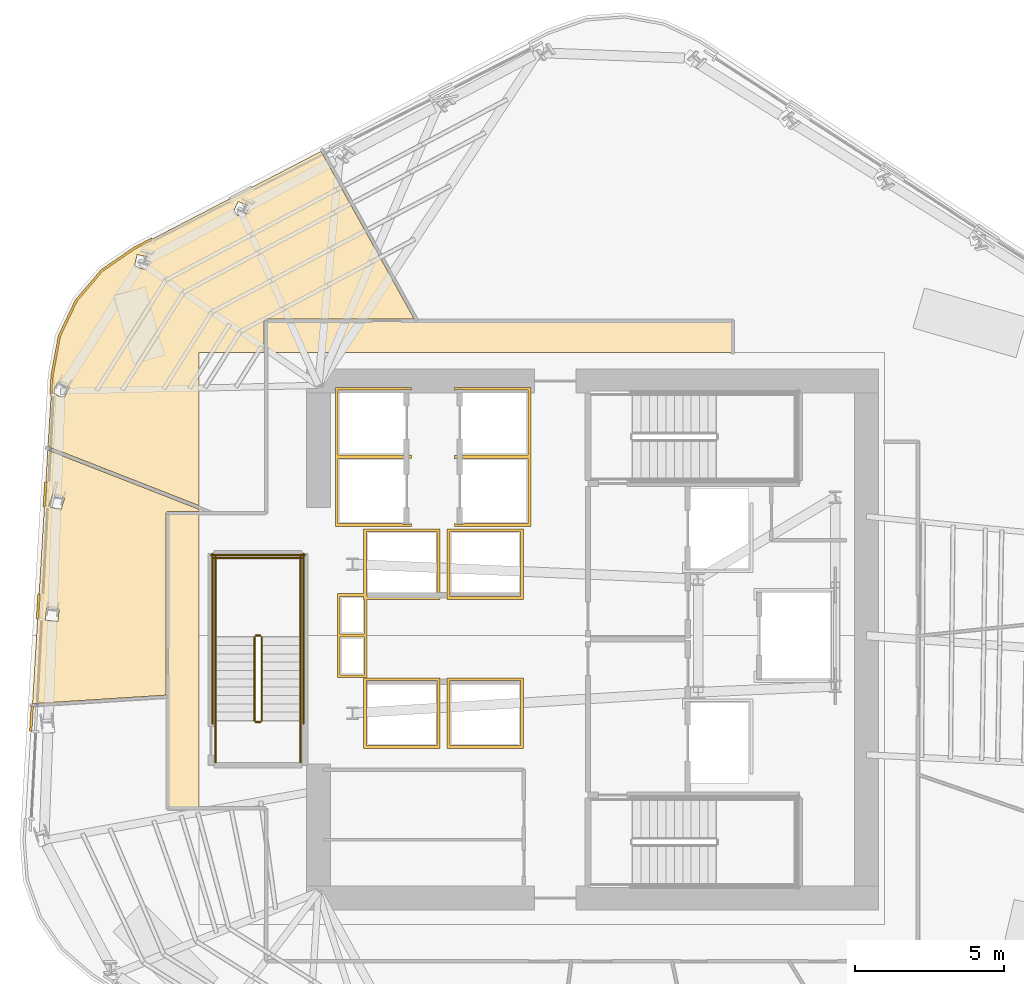
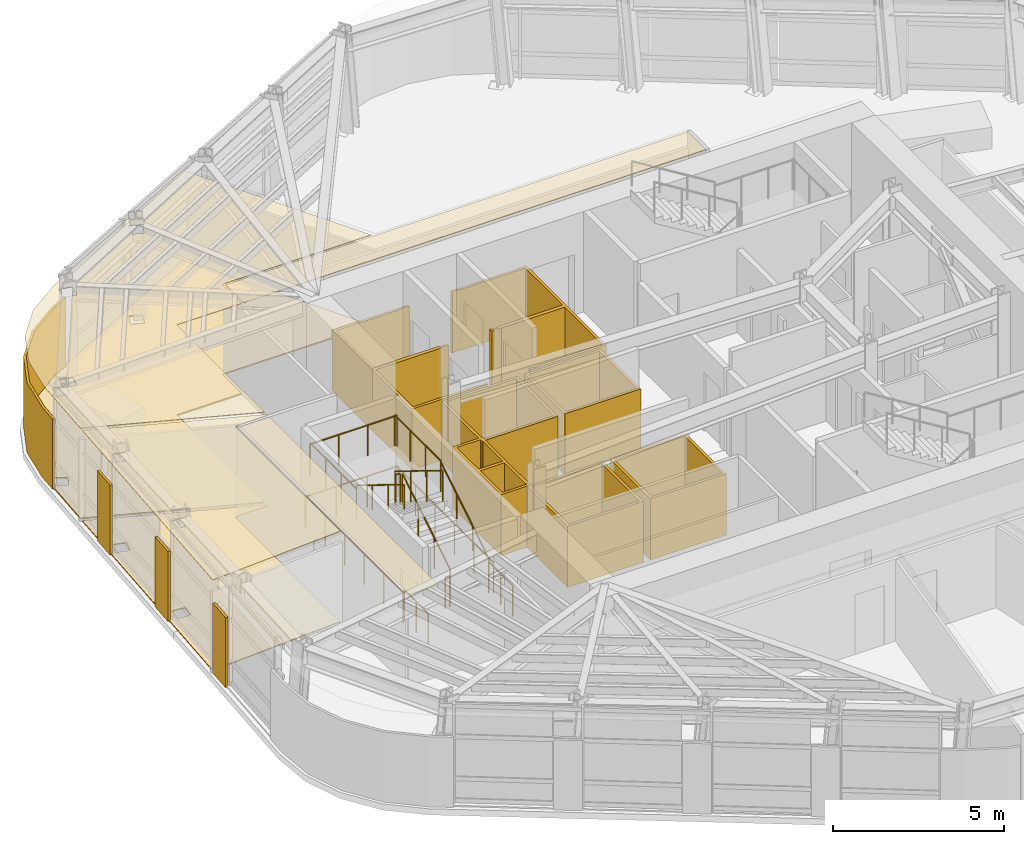
# One storey, part 11 of 14: 16 coverings, 14 railings.
"""IFC4 building model written with IfcOpenShell, lengths in metres."""

from ifc_helpers import new_model, si_unit, direction, frame, origin, origin_2d, place, context, subcontext, project, spatial, polyline, circle, outline, extrude, material, layer, layer_set, type_object, element, save


model = new_model("IFC4")

# Units and contexts
model_context = context("Model", 3, precision=1e-05, world=origin(), true_north=direction((0.0, 1.0)))
body_context = subcontext(model_context, "Body", "Model", "MODEL_VIEW")
ifc_project = project(units=[si_unit("LENGTHUNIT", "METRE"), si_unit("AREAUNIT", "SQUARE_METRE"), si_unit("VOLUMEUNIT", "CUBIC_METRE"), si_unit("PLANEANGLEUNIT", "RADIAN"), si_unit("MASSUNIT", "GRAM", prefix="KILO")], contexts=[model_context])

# Site, building, storey
site_placement = place(None, origin())
site = spatial("IfcSite", under=ifc_project, at=site_placement, CompositionType="ELEMENT")
building_placement = place(site_placement, origin())
building = spatial("IfcBuilding", under=site, at=building_placement, Name="Valkerne Bourse Tower", CompositionType="ELEMENT")
storey_placement = place(building_placement, frame((0.0, 0.0, 140.0)))
storey = spatial("IfcBuildingStorey", under=building, at=storey_placement, Name="L35", CompositionType="ELEMENT", Elevation=140.0)

# Coverings
ifc_material_1 = material(Name="Mineral Fiber Acoustic Ceiling Tile", Category="acoustic")
ifc_layer_1 = layer(ifc_material_1, 0.02490234375)
ifc_layer_set_1 = layer_set([ifc_layer_1], Name="Mineral Fiber Acoustic Ceiling Tile")
covering_type_1 = type_object("IfcCoveringType", Name="COV-CEIL-ACT", PredefinedType="CEILING", material=ifc_layer_set_1)
covering_1_placement = place(storey_placement, frame((0.0, 0.0, 3.22998046875)))
element("IfcCovering", 1, at=covering_1_placement, inside=storey, type_object=covering_type_1, Name="L35 Suspended Ceiling 05", PredefinedType="CEILING", context=body_context, shape_type="SweptSolid", body=[
    extrude(outline(polyline([(32.546630859375, 31.1689453125), (32.50830078125, 31.1552734375), (32.48291015625, 31.116455078125), (32.48095703125, 25.003662109375), (28.007080078125, 24.71728515625), (28.518798828125, 33.224609375), (33.60009765625, 31.236328125), (33.60009765625, 31.1689453125), (32.546630859375, 31.1689453125)]), holes=[polyline([(28.902099609375, 27.892578125), (28.4794921875, 27.93359375), (28.439697265625, 27.522216796875), (28.439453125, 27.51953125), (28.862060546875, 27.478759765625), (28.902099609375, 27.889892578125), (28.902099609375, 27.892578125)]), polyline([(29.081298828125, 31.607177734375), (29.08203125, 31.609619140625), (28.676513671875, 31.73583984375), (28.5537109375, 31.34130859375), (28.552978515625, 31.3388671875), (28.95849609375, 31.212646484375), (29.081298828125, 31.607177734375)])]), origin(), (0.0, 0.0, 1.0), 0.02490234375),
])
covering_2_placement = place(storey_placement, frame((0.0, 0.0, 3.22998046875)))
element("IfcCovering", 2, at=covering_2_placement, inside=storey, type_object=covering_type_1, Name="L35 Suspended Ceiling 09", PredefinedType="CEILING", context=body_context, shape_type="SweptSolid", body=[
    extrude(outline(polyline([(29.481201171875, 38.2470703125), (30.338134765625, 39.25048828125), (31.433837890625, 40.00341796875), (37.68994140625, 43.252197265625), (40.814697265625, 37.62890625), (35.849609375, 37.62890625), (35.820068359375, 37.622314453125), (35.794677734375, 37.6015625), (35.781005859375, 37.560791015625), (35.781005859375, 36.5), (33.60009765625, 36.5), (33.60009765625, 31.363037109375), (28.5263671875, 33.348388671875), (28.6708984375, 35.74853515625), (28.9130859375, 37.055908203125), (29.481201171875, 38.2470703125)]), holes=[polyline([(29.24951171875, 35.32568359375), (28.875, 35.52587890625), (28.680419921875, 35.16162109375), (28.67919921875, 35.158935546875), (29.053466796875, 34.958984375), (29.248291015625, 35.322998046875), (29.24951171875, 35.32568359375)]), polyline([(31.923583984375, 39.7001953125), (31.520263671875, 39.793701171875), (31.518310546875, 39.79150390625), (31.423828125, 39.37890625), (31.8271484375, 39.28515625), (31.8291015625, 39.287353515625), (31.923583984375, 39.7001953125)]), polyline([(35.285888671875, 41.407470703125), (34.9072265625, 41.574951171875), (34.9052734375, 41.5732421875), (34.734619140625, 41.185546875), (35.11328125, 41.017822265625), (35.115478515625, 41.01953125), (35.285888671875, 41.407470703125)])]), origin(), (0.0, 0.0, 1.0), 0.02490234375),
])
ifc_material_2 = material(Name="Bronze Anodised Aluminium AA 6063-T6", Category="aluminium")
ifc_layer_2 = layer(ifc_material_2, 0.030029296875)
ifc_layer_set_2 = layer_set([ifc_layer_2], Name="Bronze Anodised Aluminium AA 6063-T6")
covering_type_2 = type_object("IfcCoveringType", Name="COV-CEIL-METAL", PredefinedType="CEILING", material=ifc_layer_set_2)
covering_3_placement = place(storey_placement, frame((0.0, 0.0, 3.22998046875)))
element("IfcCovering", 3, at=covering_3_placement, inside=storey, type_object=covering_type_2, Name="L35 Suspended Ceiling 02", PredefinedType="CEILING", context=body_context, shape_type="SweptSolid", body=[
    extrude(outline(polyline([(32.553955078125, 21.2041015625), (32.553955078125, 31.095947265625), (33.60009765625, 31.095947265625), (33.60009765625, 21.2041015625), (32.553955078125, 21.2041015625)])), origin(), (0.0, 0.0, 1.0), 0.02490234375),
])
covering_4_placement = place(storey_placement, frame((0.0, 0.0, 3.22998046875)))
element("IfcCovering", 4, at=covering_4_placement, inside=storey, type_object=covering_type_2, Name="L35 Suspended Ceiling 03", PredefinedType="CEILING", context=body_context, shape_type="SweptSolid", body=[
    extrude(outline(polyline([(35.85400390625, 37.555908203125), (51.49609375, 37.555908203125), (51.49609375, 36.5), (35.85400390625, 36.5), (35.85400390625, 37.555908203125)])), origin(), (0.0, 0.0, 1.0), 0.02490234375),
])
ifc_layer_3 = layer(ifc_material_2, 0.06005859375)
ifc_layer_set_3 = layer_set([ifc_layer_3], Name="Bronze Anodised Aluminium AA 6063-T6")
covering_type_3 = type_object("IfcCoveringType", Name="COV-CRN-ALUM", PredefinedType="CLADDING", material=ifc_layer_set_3)
covering_5_placement = place(storey_placement, origin())
element("IfcCovering", 5, at=covering_5_placement, inside=storey, type_object=covering_type_3, Name="L35 Wind-Shaped Corner Aluminium Cladding 10", PredefinedType="CLADDING", context=body_context, shape_type="SweptSolid", body=[
    extrude(outline(polyline([(27.957763671875, 24.6318359375), (28.03759765625, 24.627685546875), (27.9873046875, 23.789306640625), (27.9072265625, 23.79345703125), (27.957763671875, 24.6318359375)])), origin(), (0.0, 0.0, 1.0), 2.5),
])
covering_6_placement = place(storey_placement, origin())
element("IfcCovering", 6, at=covering_6_placement, inside=storey, type_object=covering_type_3, Name="L35 Wind-Shaped Corner Aluminium Cladding 11", PredefinedType="CLADDING", context=body_context, shape_type="SweptSolid", body=[
    extrude(outline(polyline([(28.184326171875, 28.39599609375), (28.26416015625, 28.391845703125), (28.213623046875, 27.553466796875), (28.1337890625, 27.5576171875), (28.184326171875, 28.39599609375)])), origin(), (0.0, 0.0, 1.0), 2.5),
])
covering_7_placement = place(storey_placement, origin())
element("IfcCovering", 7, at=covering_7_placement, inside=storey, type_object=covering_type_3, Name="L35 Wind-Shaped Corner Aluminium Cladding 12", PredefinedType="CLADDING", context=body_context, shape_type="SweptSolid", body=[
    extrude(outline(polyline([(28.410888671875, 32.160400390625), (28.49072265625, 32.15625), (28.440185546875, 31.31787109375), (28.3603515625, 31.322021484375), (28.410888671875, 32.160400390625)])), origin(), (0.0, 0.0, 1.0), 2.5),
])
covering_8_placement = place(storey_placement, origin())
element("IfcCovering", 8, at=covering_8_placement, inside=storey, type_object=covering_type_3, Name="L35 Wind-Shaped Corner Aluminium Cladding 13", PredefinedType="CLADDING", context=body_context, shape_type="SweptSolid", body=[
    extrude(outline(polyline([(28.626953125, 35.75390625), (28.870849609375, 37.069580078125), (29.444091796875, 38.271240234375), (30.30859375, 39.283203125), (31.411376953125, 40.041259765625), (32.0048828125, 40.349609375), (32.041259765625, 40.2783203125), (31.452392578125, 39.97265625), (30.362548828125, 39.223388671875), (29.51171875, 38.227294921875), (28.94775390625, 37.044677734375), (28.70654296875, 35.744140625), (28.666748046875, 35.08203125), (28.5869140625, 35.086181640625), (28.626953125, 35.75390625)])), origin(), (0.0, 0.0, 1.0), 2.5),
])
ifc_material_3 = material(Name="Galvanised Painted Steel", Category="steel")
ifc_layer_4 = layer(ifc_material_3, 0.044921875)
ifc_layer_set_4 = layer_set([ifc_layer_4], Name="Galvanised Painted Steel")
covering_type_4 = type_object("IfcCoveringType", Name="COV-FLR-RAF", PredefinedType="FLOORING", material=ifc_layer_set_4)
covering_9_placement = place(storey_placement, origin())
element("IfcCovering", 9, at=covering_9_placement, inside=storey, type_object=covering_type_4, Name="L35 Floor Finish 09", PredefinedType="FLOORING", context=body_context, shape_type="SweptSolid", body=[
    extrude(outline(polyline([(29.481201171875, 38.2470703125), (30.338134765625, 39.25048828125), (31.433837890625, 40.00341796875), (37.68994140625, 43.252197265625), (40.814697265625, 37.62890625), (35.849609375, 37.62890625), (35.820068359375, 37.622314453125), (35.794677734375, 37.6015625), (35.781005859375, 37.560791015625), (35.781005859375, 36.5), (33.60009765625, 36.5), (33.60009765625, 31.363037109375), (28.5263671875, 33.348388671875), (28.6708984375, 35.74853515625), (28.9130859375, 37.055908203125), (29.481201171875, 38.2470703125)]), holes=[polyline([(29.24951171875, 35.32568359375), (28.875, 35.52587890625), (28.680419921875, 35.16162109375), (28.67919921875, 35.158935546875), (29.053466796875, 34.958984375), (29.248291015625, 35.322998046875), (29.24951171875, 35.32568359375)]), polyline([(31.923583984375, 39.7001953125), (31.520263671875, 39.793701171875), (31.518310546875, 39.79150390625), (31.423828125, 39.37890625), (31.8271484375, 39.28515625), (31.8291015625, 39.287353515625), (31.923583984375, 39.7001953125)]), polyline([(35.285888671875, 41.407470703125), (34.9072265625, 41.574951171875), (34.9052734375, 41.5732421875), (34.734619140625, 41.185546875), (35.11328125, 41.017822265625), (35.115478515625, 41.01953125), (35.285888671875, 41.407470703125)])]), origin(), (0.0, 0.0, 1.0), 0.044921875),
])
ifc_material_4 = material(Name="Polished Granite Stone", Category="masonry")
ifc_layer_5 = layer(ifc_material_4, 0.030029296875)
ifc_layer_set_5 = layer_set([ifc_layer_5], Name="Polished Granite Stone")
covering_type_5 = type_object("IfcCoveringType", Name="COV-FLR-TERRAZZO", PredefinedType="FLOORING", material=ifc_layer_set_5)
covering_10_placement = place(storey_placement, origin())
element("IfcCovering", 10, at=covering_10_placement, inside=storey, type_object=covering_type_5, Name="L35 Floor Finish 05", PredefinedType="FLOORING", context=body_context, shape_type="SweptSolid", body=[
    extrude(outline(polyline([(32.546630859375, 31.1689453125), (32.50830078125, 31.1552734375), (32.48291015625, 31.116455078125), (32.48095703125, 25.003662109375), (28.007080078125, 24.71728515625), (28.518798828125, 33.224609375), (33.60009765625, 31.236328125), (33.60009765625, 31.1689453125), (32.546630859375, 31.1689453125)]), holes=[polyline([(28.902099609375, 27.892578125), (28.4794921875, 27.93359375), (28.439697265625, 27.522216796875), (28.439453125, 27.51953125), (28.862060546875, 27.478759765625), (28.902099609375, 27.889892578125), (28.902099609375, 27.892578125)]), polyline([(29.081298828125, 31.607177734375), (29.08203125, 31.609619140625), (28.676513671875, 31.73583984375), (28.5537109375, 31.34130859375), (28.552978515625, 31.3388671875), (28.95849609375, 31.212646484375), (29.081298828125, 31.607177734375)])]), origin(), (0.0, 0.0, 1.0), 0.030029296875),
])
ifc_material_5 = material(Name="Gypsum Shaftwall Liner Board", Category="gypsum")
ifc_layer_6 = layer(ifc_material_5, 0.080078125)
ifc_layer_set_6 = layer_set([ifc_layer_6], Name="Gypsum Shaftwall Liner Board")
covering_type_6 = type_object("IfcCoveringType", Name="COV-SHF-CLAD", PredefinedType="CLADDING", material=ifc_layer_set_6)
covering_11_placement = place(storey_placement, origin())
element("IfcCovering", 11, at=covering_11_placement, inside=storey, type_object=covering_type_6, Name="L35 Hoistway & Riser Shaftwall Liner 01", PredefinedType="CLADDING", context=body_context, shape_type="SweptSolid", body=[
    extrude(outline(polyline([(41.679931640625, 25.580078125), (41.679931640625, 23.219970703125), (39.1201171875, 23.219970703125), (39.1201171875, 25.580078125), (41.679931640625, 25.580078125)]), holes=[polyline([(41.590087890625, 25.489990234375), (39.2099609375, 25.489990234375), (39.2099609375, 23.31005859375), (41.590087890625, 23.31005859375), (41.590087890625, 25.489990234375)])]), origin(), (0.0, 0.0, 1.0), 2.179931640625),
])
covering_12_placement = place(storey_placement, origin())
element("IfcCovering", 12, at=covering_12_placement, inside=storey, type_object=covering_type_6, Name="L35 Hoistway & Riser Shaftwall Liner 02", PredefinedType="CLADDING", context=body_context, shape_type="SweptSolid", body=[
    extrude(outline(polyline([(44.47998046875, 23.219970703125), (41.919921875, 23.219970703125), (41.919921875, 25.580078125), (44.47998046875, 25.580078125), (44.47998046875, 23.219970703125)]), holes=[polyline([(42.010009765625, 25.489990234375), (42.010009765625, 23.31005859375), (44.389892578125, 23.31005859375), (44.389892578125, 25.489990234375), (42.010009765625, 25.489990234375)])]), origin(), (0.0, 0.0, 1.0), 2.179931640625),
])
covering_13_placement = place(storey_placement, origin())
element("IfcCovering", 13, at=covering_13_placement, inside=storey, type_object=covering_type_6, Name="L35 Hoistway & Riser Shaftwall Liner 03", PredefinedType="CLADDING", context=body_context, shape_type="SweptSolid", body=[
    extrude(outline(polyline([(38.239990234375, 28.409912109375), (39.1201171875, 28.409912109375), (39.1201171875, 30.580078125), (41.679931640625, 30.580078125), (41.679931640625, 28.219970703125), (39.239990234375, 28.219970703125), (39.239990234375, 27.0400390625), (39.239990234375, 26.9599609375), (39.239990234375, 25.590087890625), (38.239990234375, 25.590087890625), (38.239990234375, 26.9599609375), (38.239990234375, 27.0400390625), (38.239990234375, 28.409912109375)]), holes=[polyline([(38.330078125, 26.949951171875), (38.330078125, 25.679931640625), (39.14990234375, 25.679931640625), (39.14990234375, 26.949951171875), (38.330078125, 26.949951171875)]), polyline([(39.2099609375, 30.489990234375), (39.2099609375, 28.409912109375), (39.239990234375, 28.409912109375), (39.239990234375, 28.31005859375), (41.590087890625, 28.31005859375), (41.590087890625, 30.489990234375), (39.2099609375, 30.489990234375)]), polyline([(38.330078125, 27.050048828125), (39.14990234375, 27.050048828125), (39.14990234375, 28.219970703125), (39.1201171875, 28.219970703125), (39.1201171875, 28.320068359375), (38.330078125, 28.320068359375), (38.330078125, 27.050048828125)])]), origin(), (0.0, 0.0, 1.0), 2.179931640625),
])
covering_14_placement = place(storey_placement, origin())
element("IfcCovering", 14, at=covering_14_placement, inside=storey, type_object=covering_type_6, Name="L35 Hoistway & Riser Shaftwall Liner 04", PredefinedType="CLADDING", context=body_context, shape_type="SweptSolid", body=[
    extrude(outline(polyline([(38.169921875, 35.330078125), (40.72998046875, 35.330078125), (40.72998046875, 35.232177734375), (40.72216796875, 35.235595703125), (40.6806640625, 35.25048828125), (40.6376953125, 35.261474609375), (40.593994140625, 35.267822265625), (40.550048828125, 35.27001953125), (40.505859375, 35.267822265625), (40.462158203125, 35.261474609375), (40.41943359375, 35.25048828125), (40.3896484375, 35.239990234375), (38.260009765625, 35.239990234375), (38.260009765625, 33.06005859375), (40.3896484375, 33.06005859375), (40.41943359375, 33.04931640625), (40.462158203125, 33.03857421875), (40.505859375, 33.0322265625), (40.550048828125, 33.030029296875), (40.593994140625, 33.0322265625), (40.6376953125, 33.03857421875), (40.6806640625, 33.04931640625), (40.72216796875, 33.064208984375), (40.72998046875, 33.06787109375), (40.72998046875, 33.030029296875), (40.72998046875, 32.969970703125), (40.72998046875, 32.93212890625), (40.72216796875, 32.935791015625), (40.6806640625, 32.95068359375), (40.6376953125, 32.96142578125), (40.593994140625, 32.9677734375), (40.550048828125, 32.969970703125), (40.505859375, 32.9677734375), (40.462158203125, 32.96142578125), (40.41943359375, 32.95068359375), (40.3896484375, 32.93994140625), (38.260009765625, 32.93994140625), (38.260009765625, 30.760009765625), (40.3896484375, 30.760009765625), (40.41943359375, 30.74951171875), (40.462158203125, 30.738525390625), (40.505859375, 30.732177734375), (40.550048828125, 30.72998046875), (40.593994140625, 30.732177734375), (40.6376953125, 30.738525390625), (40.6806640625, 30.74951171875), (40.72216796875, 30.764404296875), (40.72998046875, 30.767822265625), (40.72998046875, 30.669921875), (38.169921875, 30.669921875), (38.169921875, 32.969970703125), (38.169921875, 33.030029296875), (38.169921875, 35.330078125)])), origin(), (0.0, 0.0, 1.0), 2.179931640625),
])
covering_15_placement = place(storey_placement, origin())
element("IfcCovering", 15, at=covering_15_placement, inside=storey, type_object=covering_type_6, Name="L35 Hoistway & Riser Shaftwall Liner 07", PredefinedType="CLADDING", context=body_context, shape_type="SweptSolid", body=[
    extrude(outline(polyline([(44.47998046875, 28.219970703125), (41.919921875, 28.219970703125), (41.919921875, 30.580078125), (44.47998046875, 30.580078125), (44.47998046875, 28.219970703125)]), holes=[polyline([(42.010009765625, 30.489990234375), (42.010009765625, 28.31005859375), (44.389892578125, 28.31005859375), (44.389892578125, 30.489990234375), (42.010009765625, 30.489990234375)])]), origin(), (0.0, 0.0, 1.0), 2.179931640625),
])
covering_16_placement = place(storey_placement, origin())
element("IfcCovering", 16, at=covering_16_placement, inside=storey, type_object=covering_type_6, Name="L35 Hoistway & Riser Shaftwall Liner 09", PredefinedType="CLADDING", context=body_context, shape_type="SweptSolid", body=[
    extrude(outline(polyline([(42.169921875, 33.06787109375), (42.177734375, 33.064208984375), (42.219482421875, 33.04931640625), (42.26220703125, 33.03857421875), (42.305908203125, 33.0322265625), (42.35009765625, 33.030029296875), (42.39404296875, 33.0322265625), (42.437744140625, 33.03857421875), (42.480712890625, 33.04931640625), (42.51025390625, 33.06005859375), (44.639892578125, 33.06005859375), (44.639892578125, 35.239990234375), (42.51025390625, 35.239990234375), (42.480712890625, 35.25048828125), (42.437744140625, 35.261474609375), (42.39404296875, 35.267822265625), (42.35009765625, 35.27001953125), (42.305908203125, 35.267822265625), (42.26220703125, 35.261474609375), (42.219482421875, 35.25048828125), (42.177734375, 35.235595703125), (42.169921875, 35.232177734375), (42.169921875, 35.330078125), (44.72998046875, 35.330078125), (44.72998046875, 33.030029296875), (44.72998046875, 32.969970703125), (44.72998046875, 30.669921875), (42.169921875, 30.669921875), (42.169921875, 30.767822265625), (42.177734375, 30.764404296875), (42.219482421875, 30.74951171875), (42.26220703125, 30.738525390625), (42.305908203125, 30.732177734375), (42.35009765625, 30.72998046875), (42.39404296875, 30.732177734375), (42.437744140625, 30.738525390625), (42.480712890625, 30.74951171875), (42.51025390625, 30.760009765625), (44.639892578125, 30.760009765625), (44.639892578125, 32.93994140625), (42.51025390625, 32.93994140625), (42.480712890625, 32.95068359375), (42.437744140625, 32.96142578125), (42.39404296875, 32.9677734375), (42.35009765625, 32.969970703125), (42.305908203125, 32.9677734375), (42.26220703125, 32.96142578125), (42.219482421875, 32.95068359375), (42.177734375, 32.935791015625), (42.169921875, 32.93212890625), (42.169921875, 32.969970703125), (42.169921875, 33.030029296875), (42.169921875, 33.06787109375)])), origin(), (0.0, 0.0, 1.0), 2.179931640625),
])

# Railings
railing_type_1 = type_object("IfcRailingType", Name="RLG-ST-GUARD-1120", PredefinedType="GUARDRAIL", material=ifc_material_3)
railing_1_placement = place(storey_placement, frame((35.699951171875, 24.14990234375, 0.172607421875)))
element("IfcRailing", 17, at=railing_1_placement, inside=storey, type_object=railing_type_1, Name="L35 ST-3 stair guard 1", PredefinedType="GUARDRAIL", context=body_context, shape_type="SweptSolid", body=[
    extrude(circle(Radius=0.02392578125, at=origin_2d()), frame((0.0, 0.0, 1.09619140625), z_axis=(0.0, 0.851089632645, 0.525020415988), x_axis=(-1.0, 0.0, 0.0)), (0.0, 0.0, 1.0), 3.2900390625),
    extrude(circle(Radius=0.02099609375, at=origin_2d()), origin(), (0.0, 0.0, 1.0), 1.072021484375),
    extrude(circle(Radius=0.02099609375, at=origin_2d()), frame((0.0, 0.933349609375, 0.57568359375)), (0.0, 0.0, 1.0), 1.072021484375),
    extrude(circle(Radius=0.02099609375, at=origin_2d()), frame((0.0, 1.86669921875, 1.151611328125)), (0.0, 0.0, 1.0), 1.072021484375),
    extrude(circle(Radius=0.02099609375, at=origin_2d()), frame((0.0, 2.800048828125, 1.727294921875)), (0.0, 0.0, 1.0), 1.072021484375),
])
railing_2_placement = place(storey_placement, frame((35.64990234375, 27.0, 1.89990234375)))
element("IfcRailing", 18, at=railing_2_placement, inside=storey, type_object=railing_type_1, Name="L35 ST-3 stair guard 2", PredefinedType="GUARDRAIL", context=body_context, shape_type="SweptSolid", body=[
    extrude(circle(Radius=0.02392578125, at=origin_2d()), frame((0.0, 0.0, 1.09619140625), z_axis=(-1.0, 0.0, 0.0), x_axis=(0.0, -1.0, 0.0)), (0.0, 0.0, 1.0), 0.14990234375),
    extrude(circle(Radius=0.02099609375, at=origin_2d()), origin(), (0.0, 0.0, 1.0), 1.072021484375),
    extrude(circle(Radius=0.02099609375, at=origin_2d()), frame((-0.14990234375, 0.0, 0.0)), (0.0, 0.0, 1.0), 1.072021484375),
])
for number, where, name in (
    (19, (37.0, 26.949951171875, 1.89990234375), "L35 ST-3 stair guard 3"),
    (20, (34.14990234375, 26.949951171875, 1.89990234375), "L35 ST-3 stair guard 4"),
):
    element("IfcRailing", number, at=place(storey_placement, frame(where)), inside=storey, type_object=railing_type_1, Name=name, PredefinedType="GUARDRAIL", context=body_context, shape_type="SweptSolid", body=[
        extrude(circle(Radius=0.02392578125, at=origin_2d()), frame((0.0, 0.0, 1.09619140625), z_axis=(0.0, 1.0, 0.0), x_axis=(-1.0, 0.0, 0.0)), (0.0, 0.0, 1.0), 2.699951171875),
        extrude(circle(Radius=0.02099609375, at=origin_2d()), origin(), (0.0, 0.0, 1.0), 1.072021484375),
        extrude(circle(Radius=0.02099609375, at=origin_2d()), frame((0.0, 0.89990234375, 0.0)), (0.0, 0.0, 1.0), 1.072021484375),
        extrude(circle(Radius=0.02099609375, at=origin_2d()), frame((0.0, 1.800048828125, 0.0)), (0.0, 0.0, 1.0), 1.072021484375),
        extrude(circle(Radius=0.02099609375, at=origin_2d()), frame((0.0, 2.699951171875, 0.0)), (0.0, 0.0, 1.0), 1.072021484375),
    ])
railing_3_placement = place(storey_placement, frame((37.050048828125, 29.60009765625, 1.89990234375)))
element("IfcRailing", 21, at=railing_3_placement, inside=storey, type_object=railing_type_1, Name="L35 ST-3 stair guard 5", PredefinedType="GUARDRAIL", context=body_context, shape_type="SweptSolid", body=[
    extrude(circle(Radius=0.02392578125, at=origin_2d()), frame((0.0, 0.0, 1.09619140625), z_axis=(-1.0, 0.0, 0.0), x_axis=(0.0, -1.0, 0.0)), (0.0, 0.0, 1.0), 2.949951171875),
    extrude(circle(Radius=0.02099609375, at=origin_2d()), origin(), (0.0, 0.0, 1.0), 1.072021484375),
    extrude(circle(Radius=0.02099609375, at=origin_2d()), frame((-0.9833984375, 0.0, 0.0)), (0.0, 0.0, 1.0), 1.072021484375),
    extrude(circle(Radius=0.02099609375, at=origin_2d()), frame((-1.966552734375, 0.0, 0.0)), (0.0, 0.0, 1.0), 1.072021484375),
    extrude(circle(Radius=0.02099609375, at=origin_2d()), frame((-2.949951171875, 0.0, 0.0)), (0.0, 0.0, 1.0), 1.072021484375),
])
railing_4_placement = place(storey_placement, frame((35.449951171875, 26.949951171875, 2.07275390625)))
element("IfcRailing", 22, at=railing_4_placement, inside=storey, type_object=railing_type_1, Name="L35 ST-3 stair guard 6", PredefinedType="GUARDRAIL", context=body_context, shape_type="SweptSolid", body=[
    extrude(circle(Radius=0.02392578125, at=origin_2d()), frame((0.0, 0.0, 1.09619140625), z_axis=(0.0, -0.851089632645, 0.525020415988), x_axis=(1.0, 0.0, 0.0)), (0.0, 0.0, 1.0), 3.2900390625),
    extrude(circle(Radius=0.02099609375, at=origin_2d()), origin(), (0.0, 0.0, 1.0), 1.072021484375),
    extrude(circle(Radius=0.02099609375, at=origin_2d()), frame((0.0, -0.933349609375, 0.57568359375)), (0.0, 0.0, 1.0), 1.072021484375),
    extrude(circle(Radius=0.02099609375, at=origin_2d()), frame((0.0, -1.86669921875, 1.151611328125)), (0.0, 0.0, 1.0), 1.072021484375),
    extrude(circle(Radius=0.02099609375, at=origin_2d()), frame((0.0, -2.800048828125, 1.727294921875)), (0.0, 0.0, 1.0), 1.072021484375),
])
railing_5_placement = place(storey_placement, frame((35.64990234375, 24.10009765625, 0.0)))
element("IfcRailing", 23, at=railing_5_placement, inside=storey, type_object=railing_type_1, Name="L35 ST-3 stair guard 7", PredefinedType="GUARDRAIL", context=body_context, shape_type="SweptSolid", body=[
    extrude(circle(Radius=0.02392578125, at=origin_2d()), frame((0.0, 0.0, 1.09619140625), z_axis=(-1.0, 0.0, 0.0), x_axis=(0.0, -1.0, 0.0)), (0.0, 0.0, 1.0), 0.14990234375),
    extrude(circle(Radius=0.02099609375, at=origin_2d()), origin(), (0.0, 0.0, 1.0), 1.072021484375),
    extrude(circle(Radius=0.02099609375, at=origin_2d()), frame((-0.14990234375, 0.0, 0.0)), (0.0, 0.0, 1.0), 1.072021484375),
])
for number, where, name in (
    (24, (37.0, 22.75, 0.0), "L35 ST-3 stair guard 8"),
    (25, (34.14990234375, 22.75, 0.0), "L35 ST-3 stair guard 9"),
):
    element("IfcRailing", number, at=place(storey_placement, frame(where)), inside=storey, type_object=railing_type_1, Name=name, PredefinedType="GUARDRAIL", context=body_context, shape_type="SweptSolid", body=[
        extrude(circle(Radius=0.02392578125, at=origin_2d()), frame((0.0, 0.0, 1.09619140625), z_axis=(0.0, 1.0, 0.0), x_axis=(-1.0, 0.0, 0.0)), (0.0, 0.0, 1.0), 1.39990234375),
        extrude(circle(Radius=0.02099609375, at=origin_2d()), origin(), (0.0, 0.0, 1.0), 1.072021484375),
        extrude(circle(Radius=0.02099609375, at=origin_2d()), frame((0.0, 0.699951171875, 0.0)), (0.0, 0.0, 1.0), 1.072021484375),
        extrude(circle(Radius=0.02099609375, at=origin_2d()), frame((0.0, 1.39990234375, 0.0)), (0.0, 0.0, 1.0), 1.072021484375),
    ])
for number, where, name in (
    (26, (37.10009765625, 24.050048828125, 0.0), "L35 ST-3 stair guard 10"),
    (27, (34.050048828125, 24.050048828125, 0.0), "L35 ST-3 stair guard 11"),
):
    element("IfcRailing", number, at=place(storey_placement, frame(where)), inside=storey, type_object=railing_type_1, Name=name, PredefinedType="GUARDRAIL", context=body_context, shape_type="SweptSolid", body=[
        extrude(circle(Radius=0.02392578125, at=origin_2d()), frame((0.0, 0.0, 1.09619140625), z_axis=(0.0, 1.0, 0.0), x_axis=(-1.0, 0.0, 0.0)), (0.0, 0.0, 1.0), 5.699951171875),
        extrude(circle(Radius=0.02099609375, at=origin_2d()), origin(), (0.0, 0.0, 1.0), 1.072021484375),
        extrude(circle(Radius=0.02099609375, at=origin_2d()), frame((0.0, 1.139892578125, 0.0)), (0.0, 0.0, 1.0), 1.072021484375),
        extrude(circle(Radius=0.02099609375, at=origin_2d()), frame((0.0, 2.280029296875, 0.0)), (0.0, 0.0, 1.0), 1.072021484375),
        extrude(circle(Radius=0.02099609375, at=origin_2d()), frame((0.0, 3.419921875, 0.0)), (0.0, 0.0, 1.0), 1.072021484375),
        extrude(circle(Radius=0.02099609375, at=origin_2d()), frame((0.0, 4.56005859375, 0.0)), (0.0, 0.0, 1.0), 1.072021484375),
        extrude(circle(Radius=0.02099609375, at=origin_2d()), frame((0.0, 5.699951171875, 0.0)), (0.0, 0.0, 1.0), 1.072021484375),
    ])
railing_6_placement = place(storey_placement, frame((37.14990234375, 29.699951171875, 0.0)))
element("IfcRailing", 28, at=railing_6_placement, inside=storey, type_object=railing_type_1, Name="L35 ST-3 stair guard 12", PredefinedType="GUARDRAIL", context=body_context, shape_type="SweptSolid", body=[
    extrude(circle(Radius=0.02392578125, at=origin_2d()), frame((0.0, 0.0, 1.09619140625), z_axis=(-1.0, 0.0, 0.0), x_axis=(0.0, -1.0, 0.0)), (0.0, 0.0, 1.0), 3.14990234375),
    extrude(circle(Radius=0.02099609375, at=origin_2d()), origin(), (0.0, 0.0, 1.0), 1.072021484375),
    extrude(circle(Radius=0.02099609375, at=origin_2d()), frame((-1.050048828125, 0.0, 0.0)), (0.0, 0.0, 1.0), 1.072021484375),
    extrude(circle(Radius=0.02099609375, at=origin_2d()), frame((-2.099853515625, 0.0, 0.0)), (0.0, 0.0, 1.0), 1.072021484375),
    extrude(circle(Radius=0.02099609375, at=origin_2d()), frame((-3.14990234375, 0.0, 0.0)), (0.0, 0.0, 1.0), 1.072021484375),
])
ifc_material_6 = material(Name="Stainless Steel AISI 316", Category="steel")
railing_type_2 = type_object("IfcRailingType", Name="RLG-ST-HANDRAIL-900", PredefinedType="HANDRAIL", material=ifc_material_6)
railing_7_placement = place(storey_placement, frame((37.0, 24.14990234375, 0.345458984375)))
element("IfcRailing", 29, at=railing_7_placement, inside=storey, type_object=railing_type_2, Name="L35 ST-3 stair handrail 1", PredefinedType="HANDRAIL", context=body_context, shape_type="SweptSolid", body=[
    extrude(circle(Radius=0.02392578125, at=origin_2d()), frame((0.0, 0.0, 0.8759765625), z_axis=(0.0, 0.851089632645, 0.525020415988), x_axis=(-1.0, 0.0, 0.0)), (0.0, 0.0, 1.0), 3.2900390625),
    extrude(circle(Radius=0.02099609375, at=origin_2d()), origin(), (0.0, 0.0, 1.0), 0.851806640625),
    extrude(circle(Radius=0.02099609375, at=origin_2d()), frame((0.0, 0.933349609375, 0.57568359375)), (0.0, 0.0, 1.0), 0.851806640625),
    extrude(circle(Radius=0.02099609375, at=origin_2d()), frame((0.0, 1.86669921875, 1.151611328125)), (0.0, 0.0, 1.0), 0.851806640625),
    extrude(circle(Radius=0.02099609375, at=origin_2d()), frame((0.0, 2.800048828125, 1.727294921875)), (0.0, 0.0, 1.0), 0.851806640625),
])
railing_8_placement = place(storey_placement, frame((34.14990234375, 26.949951171875, 2.245361328125)))
element("IfcRailing", 30, at=railing_8_placement, inside=storey, type_object=railing_type_2, Name="L35 ST-3 stair handrail 2", PredefinedType="HANDRAIL", context=body_context, shape_type="SweptSolid", body=[
    extrude(circle(Radius=0.02392578125, at=origin_2d()), frame((0.0, 0.0, 0.8759765625), z_axis=(0.0, -0.851089632645, 0.525020415988), x_axis=(1.0, 0.0, 0.0)), (0.0, 0.0, 1.0), 3.2900390625),
    extrude(circle(Radius=0.02099609375, at=origin_2d()), origin(), (0.0, 0.0, 1.0), 0.851806640625),
    extrude(circle(Radius=0.02099609375, at=origin_2d()), frame((0.0, -0.933349609375, 0.57568359375)), (0.0, 0.0, 1.0), 0.851806640625),
    extrude(circle(Radius=0.02099609375, at=origin_2d()), frame((0.0, -1.86669921875, 1.151611328125)), (0.0, 0.0, 1.0), 0.851806640625),
    extrude(circle(Radius=0.02099609375, at=origin_2d()), frame((0.0, -2.800048828125, 1.727294921875)), (0.0, 0.0, 1.0), 0.851806640625),
])

save(model, "model.ifc")
